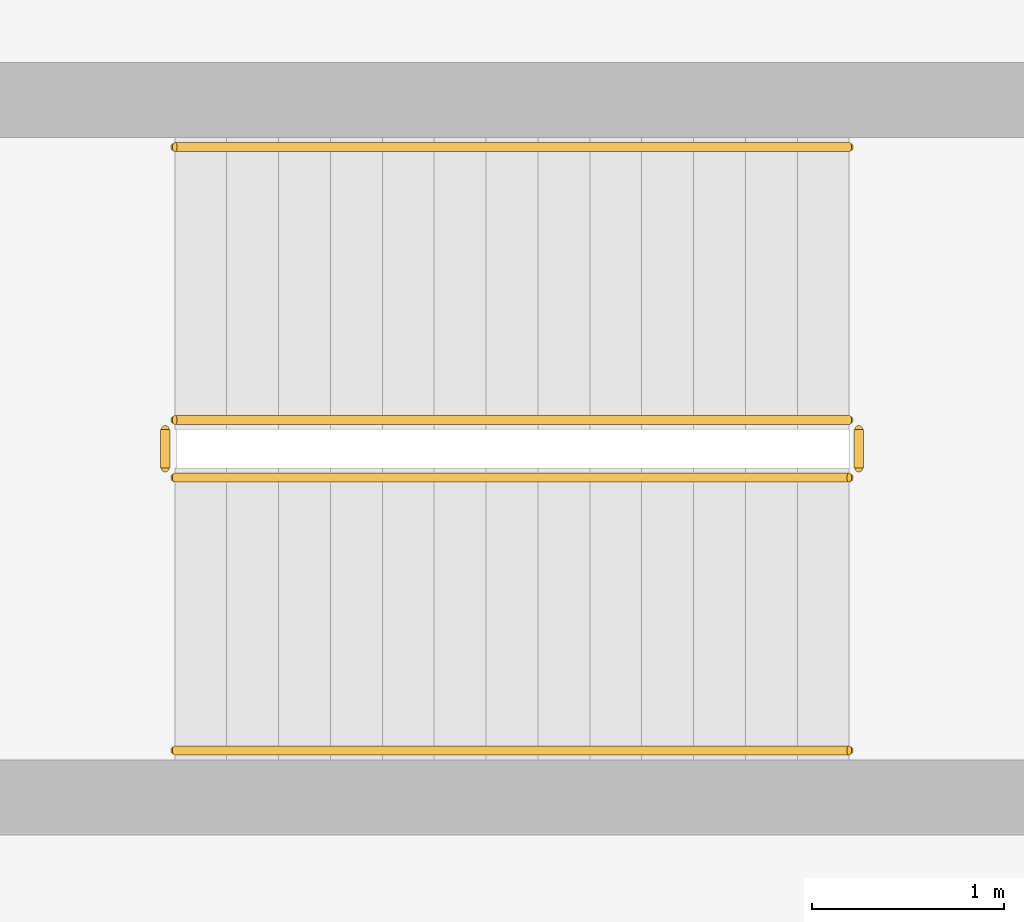
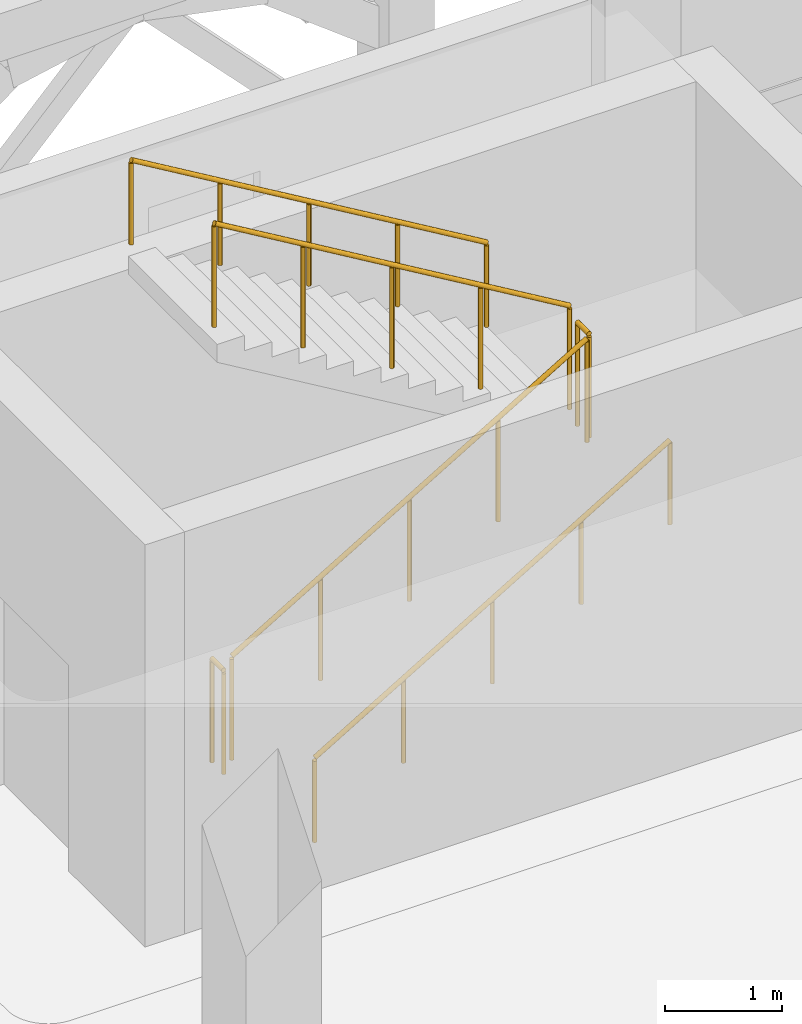
# One storey, part 112 of 114: 6 railings.
"""IFC4 building model written with IfcOpenShell, lengths in metres."""

from ifc_helpers import new_model, si_unit, direction, frame, origin, origin_2d, place, context, subcontext, project, spatial, circle, extrude, material, type_object, element, save


model = new_model("IFC4")

# Units and contexts
model_context = context("Model", 3, precision=1e-05, world=origin(), true_north=direction((0.0, 1.0)))
body_context = subcontext(model_context, "Body", "Model", "MODEL_VIEW")
ifc_project = project(units=[si_unit("LENGTHUNIT", "METRE"), si_unit("AREAUNIT", "SQUARE_METRE"), si_unit("VOLUMEUNIT", "CUBIC_METRE"), si_unit("PLANEANGLEUNIT", "RADIAN"), si_unit("MASSUNIT", "GRAM", prefix="KILO")], contexts=[model_context])

# Site, building, storey
site_placement = place(None, origin())
site = spatial("IfcSite", under=ifc_project, at=site_placement, CompositionType="ELEMENT")
building_placement = place(site_placement, origin())
building = spatial("IfcBuilding", under=site, at=building_placement, Name="Xazarin Passage Department Store", CompositionType="ELEMENT")
storey_placement = place(building_placement, frame((0.0, 0.0, 14.39990234375)))
storey = spatial("IfcBuildingStorey", under=building, at=storey_placement, Name="L03", CompositionType="ELEMENT", Elevation=14.39990234375)

# Railings
ifc_material = material(Name="Steel S355", Category="steel")
railing_type_1 = type_object("IfcRailingType", Name="ARC-RL-GRD112", PredefinedType="GUARDRAIL", material=ifc_material)
railing_1_placement = place(storey_placement, frame((27.239990234375, 105.64990234375, 0.160888671875)))
element("IfcRailing", 1, at=railing_1_placement, inside=storey, type_object=railing_type_1, Name="L03 ST2 stair guard 1", PredefinedType="GUARDRAIL", context=body_context, shape_type="SweptSolid", body=[
    extrude(circle(Radius=0.02392578125, at=origin_2d()), frame((0.0, 0.0, 1.076171875), z_axis=(0.859312273368, 0.0, 0.511451284914), x_axis=(0.0, 1.0, 0.0)), (0.0, 0.0, 1.0), 4.084716796875),
    extrude(circle(Radius=0.02099609375, at=origin_2d()), origin(), (0.0, 0.0, 1.0), 1.0517578125),
    extrude(circle(Radius=0.02099609375, at=origin_2d()), frame((0.87744140625, 0.0, 0.522216796875)), (0.0, 0.0, 1.0), 1.0517578125),
    extrude(circle(Radius=0.02099609375, at=origin_2d()), frame((1.7548828125, 0.0, 1.04443359375)), (0.0, 0.0, 1.0), 1.0517578125),
    extrude(circle(Radius=0.02099609375, at=origin_2d()), frame((2.632568359375, 0.0, 1.56689453125)), (0.0, 0.0, 1.0), 1.0517578125),
    extrude(circle(Radius=0.02099609375, at=origin_2d()), frame((3.510009765625, 0.0, 2.089111328125)), (0.0, 0.0, 1.0), 1.0517578125),
])
railing_2_placement = place(storey_placement, frame((30.800048828125, 105.699951171875, 2.25)))
element("IfcRailing", 2, at=railing_2_placement, inside=storey, type_object=railing_type_1, Name="L03 ST2 stair guard 2", PredefinedType="GUARDRAIL", context=body_context, shape_type="SweptSolid", body=[
    extrude(circle(Radius=0.02392578125, at=origin_2d()), frame((0.0, 0.0, 1.076171875), z_axis=(0.0, 1.0, 0.0), x_axis=(-1.0, 0.0, 0.0)), (0.0, 0.0, 1.0), 0.199951171875),
    extrude(circle(Radius=0.02099609375, at=origin_2d()), origin(), (0.0, 0.0, 1.0), 1.0517578125),
    extrude(circle(Radius=0.02099609375, at=origin_2d()), frame((0.0, 0.199951171875, 0.0)), (0.0, 0.0, 1.0), 1.0517578125),
])
railing_3_placement = place(storey_placement, frame((30.75, 105.949951171875, 2.410888671875)))
element("IfcRailing", 3, at=railing_3_placement, inside=storey, type_object=railing_type_1, Name="L03 ST2 stair guard 3", PredefinedType="GUARDRAIL", context=body_context, shape_type="SweptSolid", body=[
    extrude(circle(Radius=0.02392578125, at=origin_2d()), frame((0.0, 0.0, 1.076171875), z_axis=(-0.859312273368, 0.0, 0.511451284914), x_axis=(0.0, -1.0, 0.0)), (0.0, 0.0, 1.0), 4.084716796875),
    extrude(circle(Radius=0.02099609375, at=origin_2d()), origin(), (0.0, 0.0, 1.0), 1.0517578125),
    extrude(circle(Radius=0.02099609375, at=origin_2d()), frame((-0.87744140625, 0.0, 0.522216796875)), (0.0, 0.0, 1.0), 1.0517578125),
    extrude(circle(Radius=0.02099609375, at=origin_2d()), frame((-1.7548828125, 0.0, 1.04443359375)), (0.0, 0.0, 1.0), 1.0517578125),
    extrude(circle(Radius=0.02099609375, at=origin_2d()), frame((-2.632568359375, 0.0, 1.56689453125)), (0.0, 0.0, 1.0), 1.0517578125),
    extrude(circle(Radius=0.02099609375, at=origin_2d()), frame((-3.510009765625, 0.0, 2.089111328125)), (0.0, 0.0, 1.0), 1.0517578125),
])
railing_4_placement = place(storey_placement, frame((27.18994140625, 105.699951171875, 0.0)))
element("IfcRailing", 4, at=railing_4_placement, inside=storey, type_object=railing_type_1, Name="L03 ST2 stair guard 4", PredefinedType="GUARDRAIL", context=body_context, shape_type="SweptSolid", body=[
    extrude(circle(Radius=0.02392578125, at=origin_2d()), frame((0.0, 0.0, 1.076171875), z_axis=(0.0, 1.0, 0.0), x_axis=(-1.0, 0.0, 0.0)), (0.0, 0.0, 1.0), 0.199951171875),
    extrude(circle(Radius=0.02099609375, at=origin_2d()), origin(), (0.0, 0.0, 1.0), 1.0517578125),
    extrude(circle(Radius=0.02099609375, at=origin_2d()), frame((0.0, 0.199951171875, 0.0)), (0.0, 0.0, 1.0), 1.0517578125),
])
railing_type_2 = type_object("IfcRailingType", Name="ARC-RL-HND090", PredefinedType="HANDRAIL", material=ifc_material)
railing_5_placement = place(storey_placement, frame((27.239990234375, 104.22998046875, 0.160888671875)))
element("IfcRailing", 5, at=railing_5_placement, inside=storey, type_object=railing_type_2, Name="L03 ST2 stair handrail 1", PredefinedType="HANDRAIL", context=body_context, shape_type="SweptSolid", body=[
    extrude(circle(Radius=0.02392578125, at=origin_2d()), frame((0.0, 0.0, 0.8759765625), z_axis=(0.859312273368, 0.0, 0.511451284914), x_axis=(0.0, 1.0, 0.0)), (0.0, 0.0, 1.0), 4.084716796875),
    extrude(circle(Radius=0.02099609375, at=origin_2d()), origin(), (0.0, 0.0, 1.0), 0.8515625),
    extrude(circle(Radius=0.02099609375, at=origin_2d()), frame((0.87744140625, 0.0, 0.522216796875)), (0.0, 0.0, 1.0), 0.8515625),
    extrude(circle(Radius=0.02099609375, at=origin_2d()), frame((1.7548828125, 0.0, 1.04443359375)), (0.0, 0.0, 1.0), 0.8515625),
    extrude(circle(Radius=0.02099609375, at=origin_2d()), frame((2.632568359375, 0.0, 1.56689453125)), (0.0, 0.0, 1.0), 0.8515625),
    extrude(circle(Radius=0.02099609375, at=origin_2d()), frame((3.510009765625, 0.0, 2.089111328125)), (0.0, 0.0, 1.0), 0.8515625),
])
railing_6_placement = place(storey_placement, frame((30.75, 107.3701171875, 2.410888671875)))
element("IfcRailing", 6, at=railing_6_placement, inside=storey, type_object=railing_type_2, Name="L03 ST2 stair handrail 2", PredefinedType="HANDRAIL", context=body_context, shape_type="SweptSolid", body=[
    extrude(circle(Radius=0.02392578125, at=origin_2d()), frame((0.0, 0.0, 0.8759765625), z_axis=(-0.859312273368, 0.0, 0.511451284914), x_axis=(0.0, -1.0, 0.0)), (0.0, 0.0, 1.0), 4.084716796875),
    extrude(circle(Radius=0.02099609375, at=origin_2d()), origin(), (0.0, 0.0, 1.0), 0.8515625),
    extrude(circle(Radius=0.02099609375, at=origin_2d()), frame((-0.87744140625, 0.0, 0.522216796875)), (0.0, 0.0, 1.0), 0.8515625),
    extrude(circle(Radius=0.02099609375, at=origin_2d()), frame((-1.7548828125, 0.0, 1.04443359375)), (0.0, 0.0, 1.0), 0.8515625),
    extrude(circle(Radius=0.02099609375, at=origin_2d()), frame((-2.632568359375, 0.0, 1.56689453125)), (0.0, 0.0, 1.0), 0.8515625),
    extrude(circle(Radius=0.02099609375, at=origin_2d()), frame((-3.510009765625, 0.0, 2.089111328125)), (0.0, 0.0, 1.0), 0.8515625),
])

save(model, "model.ifc")
